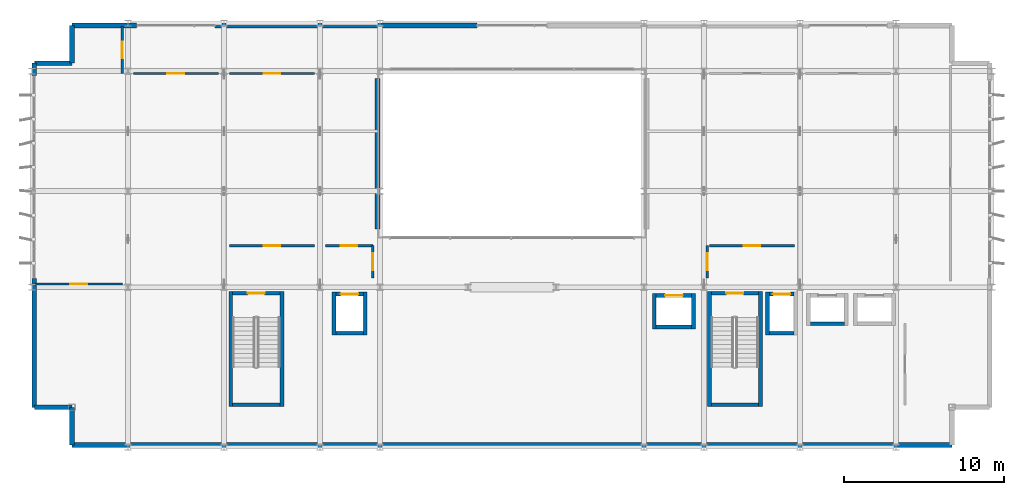
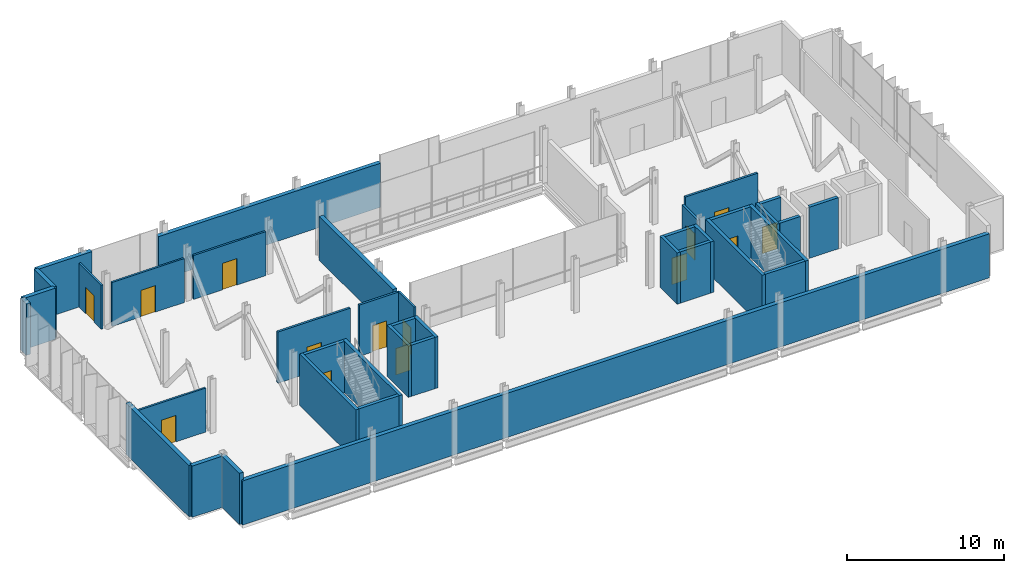
# One storey, part 27 of 33: 39 walls, 14 doors, 14 openings.
"""IFC4 building model written with IfcOpenShell, lengths in metres."""

from ifc_helpers import new_model, si_unit, direction, frame, frame_2d, origin, place, context, subcontext, project, spatial, rectangle, extrude, material, layer, layer_set, type_object, element, fill, save


model = new_model("IFC4")

# Units and contexts
model_context = context("Model", 3, precision=1e-05, world=origin(), true_north=direction((0.0, 1.0)))
body_context = subcontext(model_context, "Body", "Model", "MODEL_VIEW")
ifc_project = project(units=[si_unit("LENGTHUNIT", "METRE"), si_unit("AREAUNIT", "SQUARE_METRE"), si_unit("VOLUMEUNIT", "CUBIC_METRE"), si_unit("PLANEANGLEUNIT", "RADIAN"), si_unit("MASSUNIT", "GRAM", prefix="KILO")], contexts=[model_context])

# Site, building, storey
site_placement = place(None, origin())
site = spatial("IfcSite", under=ifc_project, at=site_placement, CompositionType="ELEMENT")
building_placement = place(site_placement, origin())
building = spatial("IfcBuilding", under=site, at=building_placement, Name="Brevholm Reach", CompositionType="ELEMENT")
storey_placement = place(building_placement, frame((0.0, 0.0, 179.0)))
storey = spatial("IfcBuildingStorey", under=building, at=storey_placement, Name="L54", CompositionType="ELEMENT", Elevation=179.0)

# Walls
ifc_material_1 = material(Name="Concrete C45/55", Category="concrete")
ifc_layer_1 = layer(ifc_material_1, 0.239990234375)
ifc_layer_set_1 = layer_set([ifc_layer_1], Name="Concrete C45/55")
wall_type_1 = type_object("IfcWallType", Name="WAL-COR-240", PredefinedType="SHEAR", material=ifc_layer_set_1)
for number, where, z_axis, x_axis, name in (
    (1, (12.429931640625, 2.5400390625, 0.0), (0.0, 0.0, 1.0), (0.0, 1.0, 0.0), "L54 Escape Stair ST-1 Core Wall W"),
    (2, (15.6201171875, 2.5400390625, 0.0), (0.0, 0.0, 1.0), (0.0, 1.0, 0.0), "L54 Escape Stair ST-1 Core Wall E"),
):
    element("IfcWall", number, at=place(storey_placement, frame(where, z_axis=z_axis, x_axis=x_axis)), inside=storey, type_object=wall_type_1, Name=name, PredefinedType="SHEAR", context=body_context, shape_type="SweptSolid", body=[
        extrude(rectangle(XDim=7.199951171875, YDim=0.239990234375, at=frame_2d((3.60009765625, 0.0))), origin(), (0.0, 0.0, 1.0), 3.989990234375),
    ])
wall_1_placement = place(storey_placement, frame((12.550048828125, 2.659912109375, 0.0), z_axis=(0.0, 0.0, 1.0), x_axis=(1.0, 0.0, 0.0)))
element("IfcWall", 3, at=wall_1_placement, inside=storey, type_object=wall_type_1, Name="L54 Escape Stair ST-1 Core Wall S", PredefinedType="SHEAR", context=body_context, shape_type="SweptSolid", body=[
    extrude(rectangle(XDim=2.949951171875, YDim=0.239990234375, at=frame_2d((1.47509765625, 0.0))), origin(), (0.0, 0.0, 1.0), 3.989990234375),
])

# Wall, opening, door
wall_2_placement = place(storey_placement, frame((15.5, 9.6201171875, 0.0), z_axis=(0.0, 0.0, 1.0), x_axis=(-1.0, 0.0, 0.0)))
wall_2 = element("IfcWall", 4, at=wall_2_placement, inside=storey, type_object=wall_type_1, Name="L54 Escape Stair ST-1 Core Wall N", PredefinedType="SHEAR", context=body_context, shape_type="SweptSolid", body=[
    extrude(rectangle(XDim=2.949951171875, YDim=0.239990234375, at=frame_2d((1.47509765625, 0.0))), origin(), (0.0, 0.0, 1.0), 3.989990234375),
])
opening_1_placement = place(wall_2_placement, frame((0.949951171875, 0.0, 0.0)))
opening_1 = element("IfcOpeningElement", 5, at=opening_1_placement, cuts=wall_2, Name="Opening SD-ST-1", PredefinedType="OPENING", context=body_context, shape_type="SweptSolid", body=[
    extrude(rectangle(XDim=1.050048828125, YDim=2.06005859375, at=frame_2d((0.52490234375, 1.030029296875))), frame((0.0, 0.1298828125, 0.0), z_axis=(0.0, -1.0, 0.0), x_axis=(1.0, 0.0, 0.0)), (0.0, 0.0, 1.0), 0.260009765625),
])
ifc_material_2 = material(Name="Hardwood-Lipped Steel-Core Fire and Smoke Door", Category="steel")
door_type_1 = type_object("IfcDoorType", Name="DOR-INT-FD60S", OperationType="NOTDEFINED", PredefinedType="DOOR", material=ifc_material_2)
door_1_placement = place(opening_1_placement, origin())
door_1 = element("IfcDoor", 6, at=door_1_placement, inside=storey, type_object=door_type_1, Name="L54 Protected Stair ST-1 Lobby Door", OperationType="SINGLE_SWING_RIGHT", OverallHeight=2.06005859375, OverallWidth=1.050048828125, PredefinedType="DOOR", context=body_context, shape_type="SweptSolid", body=[
    extrude(rectangle(XDim=1.050048828125, YDim=2.06005859375, at=frame_2d((0.52490234375, 1.030029296875))), frame((0.0, 0.02490234375, 0.0), z_axis=(0.0, -1.0, 0.0), x_axis=(1.0, 0.0, 0.0)), (0.0, 0.0, 1.0), 0.050048828125),
])
fill(opening_1, door_1)

# Walls
for number, where, z_axis, x_axis, name in (
    (7, (42.330078125, 2.5400390625, 0.0), (0.0, 0.0, 1.0), (0.0, 1.0, 0.0), "L54 Escape Stair ST-2 Core Wall W"),
    (8, (45.52001953125, 2.5400390625, 0.0), (0.0, 0.0, 1.0), (0.0, 1.0, 0.0), "L54 Escape Stair ST-2 Core Wall E"),
):
    element("IfcWall", number, at=place(storey_placement, frame(where, z_axis=z_axis, x_axis=x_axis)), inside=storey, type_object=wall_type_1, Name=name, PredefinedType="SHEAR", context=body_context, shape_type="SweptSolid", body=[
        extrude(rectangle(XDim=7.199951171875, YDim=0.239990234375, at=frame_2d((3.60009765625, 0.0))), origin(), (0.0, 0.0, 1.0), 3.989990234375),
    ])
wall_3_placement = place(storey_placement, frame((42.449951171875, 2.659912109375, 0.0), z_axis=(0.0, 0.0, 1.0), x_axis=(1.0, 0.0, 0.0)))
element("IfcWall", 9, at=wall_3_placement, inside=storey, type_object=wall_type_1, Name="L54 Escape Stair ST-2 Core Wall S", PredefinedType="SHEAR", context=body_context, shape_type="SweptSolid", body=[
    extrude(rectangle(XDim=2.949951171875, YDim=0.239990234375, at=frame_2d((1.47509765625, 0.0))), origin(), (0.0, 0.0, 1.0), 3.989990234375),
])

# Wall, opening, door
wall_4_placement = place(storey_placement, frame((45.39990234375, 9.6201171875, 0.0), z_axis=(0.0, 0.0, 1.0), x_axis=(-1.0, 0.0, 0.0)))
wall_4 = element("IfcWall", 10, at=wall_4_placement, inside=storey, type_object=wall_type_1, Name="L54 Escape Stair ST-2 Core Wall N", PredefinedType="SHEAR", context=body_context, shape_type="SweptSolid", body=[
    extrude(rectangle(XDim=2.949951171875, YDim=0.239990234375, at=frame_2d((1.47509765625, 0.0))), origin(), (0.0, 0.0, 1.0), 3.989990234375),
])
opening_2_placement = place(wall_4_placement, frame((0.949951171875, 0.0, 0.0)))
opening_2 = element("IfcOpeningElement", 11, at=opening_2_placement, cuts=wall_4, Name="Opening SD-ST-2", PredefinedType="OPENING", context=body_context, shape_type="SweptSolid", body=[
    extrude(rectangle(XDim=1.050048828125, YDim=2.06005859375, at=frame_2d((0.52490234375, 1.030029296875))), frame((0.0, 0.1298828125, 0.0), z_axis=(0.0, -1.0, 0.0), x_axis=(1.0, 0.0, 0.0)), (0.0, 0.0, 1.0), 0.260009765625),
])
door_2_placement = place(opening_2_placement, origin())
door_2 = element("IfcDoor", 12, at=door_2_placement, inside=storey, type_object=door_type_1, Name="L54 Protected Stair ST-2 Lobby Door", OperationType="SINGLE_SWING_LEFT", OverallHeight=2.06005859375, OverallWidth=1.050048828125, PredefinedType="DOOR", context=body_context, shape_type="SweptSolid", body=[
    extrude(rectangle(XDim=1.050048828125, YDim=2.06005859375, at=frame_2d((0.52490234375, 1.030029296875))), frame((0.0, 0.02490234375, 0.0), z_axis=(0.0, -1.0, 0.0), x_axis=(1.0, 0.0, 0.0)), (0.0, 0.0, 1.0), 0.050048828125),
])
fill(opening_2, door_2)

# Walls
for number, where, z_axis, x_axis, name in (
    (13, (18.8701171875, 7.0, 0.0), (0.0, 0.0, 1.0), (0.0, 1.0, 0.0), "L54 Lift FFL-1 Shaft Wall W"),
    (14, (20.830078125, 7.0, 0.0), (0.0, 0.0, 1.0), (0.0, 1.0, 0.0), "L54 Lift FFL-1 Shaft Wall E"),
):
    element("IfcWall", number, at=place(storey_placement, frame(where, z_axis=z_axis, x_axis=x_axis)), inside=storey, type_object=wall_type_1, Name=name, PredefinedType="SHEAR", context=body_context, shape_type="SweptSolid", body=[
        extrude(rectangle(XDim=2.699951171875, YDim=0.239990234375, at=frame_2d((1.35009765625, 0.0))), origin(), (0.0, 0.0, 1.0), 3.989990234375),
    ])
wall_5_placement = place(storey_placement, frame((18.989990234375, 7.1201171875, 0.0), z_axis=(0.0, 0.0, 1.0), x_axis=(1.0, 0.0, 0.0)))
element("IfcWall", 15, at=wall_5_placement, inside=storey, type_object=wall_type_1, Name="L54 Lift FFL-1 Shaft Wall S", PredefinedType="SHEAR", context=body_context, shape_type="SweptSolid", body=[
    extrude(rectangle(XDim=1.719970703125, YDim=0.239990234375, at=frame_2d((0.85986328125, 0.0))), origin(), (0.0, 0.0, 1.0), 3.989990234375),
])

# Wall, opening, door
wall_6_placement = place(storey_placement, frame((18.989990234375, 9.580078125, 0.0), z_axis=(0.0, 0.0, 1.0), x_axis=(1.0, 0.0, 0.0)))
wall_6 = element("IfcWall", 16, at=wall_6_placement, inside=storey, type_object=wall_type_1, Name="L54 Lift FFL-1 Shaft Wall N", PredefinedType="SHEAR", context=body_context, shape_type="SweptSolid", body=[
    extrude(rectangle(XDim=1.719970703125, YDim=0.239990234375, at=frame_2d((0.85986328125, 0.0))), origin(), (0.0, 0.0, 1.0), 3.989990234375),
])
opening_3_placement = place(wall_6_placement, frame((0.31005859375, 0.0, 0.0)))
opening_3 = element("IfcOpeningElement", 17, at=opening_3_placement, cuts=wall_6, Name="Opening LD-FFL-1", PredefinedType="OPENING", context=body_context, shape_type="SweptSolid", body=[
    extrude(rectangle(XDim=1.10009765625, YDim=2.06005859375, at=frame_2d((0.550048828125, 1.030029296875))), frame((0.0, 0.1298828125, 0.0), z_axis=(0.0, -1.0, 0.0), x_axis=(1.0, 0.0, 0.0)), (0.0, 0.0, 1.0), 0.260009765625),
])
ifc_material_3 = material(Name="Brushed Stainless Steel Fire-Rated Sliding Lift Door", Category="steel")
door_type_2 = type_object("IfcDoorType", Name="DOR-LFT-1100", OperationType="NOTDEFINED", PredefinedType="DOOR", material=ifc_material_3)
door_3_placement = place(opening_3_placement, origin())
door_3 = element("IfcDoor", 18, at=door_3_placement, inside=storey, type_object=door_type_2, Name="L54 Lift FFL-1 Sliding Landing Door", OperationType="SLIDING_TO_RIGHT", OverallHeight=2.06005859375, OverallWidth=1.10009765625, PredefinedType="DOOR", context=body_context, shape_type="SweptSolid", body=[
    extrude(rectangle(XDim=1.10009765625, YDim=2.06005859375, at=frame_2d((0.550048828125, 1.030029296875))), frame((0.0, 0.02490234375, 0.0), z_axis=(0.0, -1.0, 0.0), x_axis=(1.0, 0.0, 0.0)), (0.0, 0.0, 1.0), 0.050048828125),
])
fill(opening_3, door_3)

# Walls
wall_7_placement = place(storey_placement, frame((45.969970703125, 7.0, 0.0), z_axis=(0.0, 0.0, 1.0), x_axis=(0.0, 1.0, 0.0)))
element("IfcWall", 19, at=wall_7_placement, inside=storey, type_object=wall_type_1, Name="L54 Lift FFL-2 Shaft Wall W", PredefinedType="SHEAR", context=body_context, shape_type="SweptSolid", body=[
    extrude(rectangle(XDim=2.699951171875, YDim=0.239990234375, at=frame_2d((1.35009765625, 0.0))), origin(), (0.0, 0.0, 1.0), 3.989990234375),
])
wall_8_placement = place(storey_placement, frame((46.090087890625, 7.1201171875, 0.0), z_axis=(0.0, 0.0, 1.0), x_axis=(1.0, 0.0, 0.0)))
element("IfcWall", 20, at=wall_8_placement, inside=storey, type_object=wall_type_1, Name="L54 Lift FFL-2 Shaft Wall S", PredefinedType="SHEAR", context=body_context, shape_type="SweptSolid", body=[
    extrude(rectangle(XDim=1.52001953125, YDim=0.239990234375, at=frame_2d((0.760009765625, 0.0))), origin(), (0.0, 0.0, 1.0), 3.989990234375),
])

# Wall, opening, door
wall_9_placement = place(storey_placement, frame((46.090087890625, 9.580078125, 0.0), z_axis=(0.0, 0.0, 1.0), x_axis=(1.0, 0.0, 0.0)))
wall_9 = element("IfcWall", 21, at=wall_9_placement, inside=storey, type_object=wall_type_1, Name="L54 Lift FFL-2 Shaft Wall N", PredefinedType="SHEAR", context=body_context, shape_type="SweptSolid", body=[
    extrude(rectangle(XDim=1.52001953125, YDim=0.239990234375, at=frame_2d((0.760009765625, 0.0))), origin(), (0.0, 0.0, 1.0), 3.989990234375),
])
opening_4_placement = place(wall_9_placement, frame((0.2099609375, 0.0, 0.0)))
opening_4 = element("IfcOpeningElement", 22, at=opening_4_placement, cuts=wall_9, Name="Opening LD-FFL-2", PredefinedType="OPENING", context=body_context, shape_type="SweptSolid", body=[
    extrude(rectangle(XDim=1.10009765625, YDim=2.06005859375, at=frame_2d((0.550048828125, 1.030029296875))), frame((0.0, 0.1298828125, 0.0), z_axis=(0.0, -1.0, 0.0), x_axis=(1.0, 0.0, 0.0)), (0.0, 0.0, 1.0), 0.260009765625),
])
door_4_placement = place(opening_4_placement, origin())
door_4 = element("IfcDoor", 23, at=door_4_placement, inside=storey, type_object=door_type_2, Name="L54 Lift FFL-2 Sliding Landing Door", OperationType="SLIDING_TO_LEFT", OverallHeight=2.06005859375, OverallWidth=1.10009765625, PredefinedType="DOOR", context=body_context, shape_type="SweptSolid", body=[
    extrude(rectangle(XDim=1.10009765625, YDim=2.06005859375, at=frame_2d((0.550048828125, 1.030029296875))), frame((0.0, 0.02490234375, 0.0), z_axis=(0.0, -1.0, 0.0), x_axis=(1.0, 0.0, 0.0)), (0.0, 0.0, 1.0), 0.050048828125),
])
fill(opening_4, door_4)

# Walls
for number, where, z_axis, x_axis, name in (
    (24, (38.889892578125, 7.39990234375, 0.0), (0.0, 0.0, 1.0), (0.0, 1.0, 0.0), "L54 Lift PL-S1 Shaft Wall W"),
    (25, (41.35009765625, 7.39990234375, 0.0), (0.0, 0.0, 1.0), (0.0, 1.0, 0.0), "L54 Lift PL-S1 Shaft Wall E"),
):
    element("IfcWall", number, at=place(storey_placement, frame(where, z_axis=z_axis, x_axis=x_axis)), inside=storey, type_object=wall_type_1, Name=name, PredefinedType="SHEAR", context=body_context, shape_type="SweptSolid", body=[
        extrude(rectangle(XDim=2.2001953125, YDim=0.239990234375, at=frame_2d((1.10009765625, 0.0))), origin(), (0.0, 0.0, 1.0), 3.989990234375),
    ])
wall_10_placement = place(storey_placement, frame((39.010009765625, 7.52001953125, 0.0), z_axis=(0.0, 0.0, 1.0), x_axis=(1.0, 0.0, 0.0)))
element("IfcWall", 26, at=wall_10_placement, inside=storey, type_object=wall_type_1, Name="L54 Lift PL-S1 Shaft Wall S", PredefinedType="SHEAR", context=body_context, shape_type="SweptSolid", body=[
    extrude(rectangle(XDim=2.219970703125, YDim=0.239990234375, at=frame_2d((1.10986328125, 0.0))), origin(), (0.0, 0.0, 1.0), 3.989990234375),
])

# Wall, opening, door
wall_11_placement = place(storey_placement, frame((39.010009765625, 9.47998046875, 0.0), z_axis=(0.0, 0.0, 1.0), x_axis=(1.0, 0.0, 0.0)))
wall_11 = element("IfcWall", 27, at=wall_11_placement, inside=storey, type_object=wall_type_1, Name="L54 Lift PL-S1 Shaft Wall N", PredefinedType="SHEAR", context=body_context, shape_type="SweptSolid", body=[
    extrude(rectangle(XDim=2.219970703125, YDim=0.239990234375, at=frame_2d((1.10986328125, 0.0))), origin(), (0.0, 0.0, 1.0), 3.989990234375),
])
opening_5_placement = place(wall_11_placement, frame((0.56005859375, 0.0, 0.0)))
opening_5 = element("IfcOpeningElement", 28, at=opening_5_placement, cuts=wall_11, Name="Opening LD-PL-S1", PredefinedType="OPENING", context=body_context, shape_type="SweptSolid", body=[
    extrude(rectangle(XDim=1.10009765625, YDim=2.06005859375, at=frame_2d((0.550048828125, 1.030029296875))), frame((0.0, 0.1298828125, 0.0), z_axis=(0.0, -1.0, 0.0), x_axis=(1.0, 0.0, 0.0)), (0.0, 0.0, 1.0), 0.260009765625),
])
door_5_placement = place(opening_5_placement, origin())
door_5 = element("IfcDoor", 29, at=door_5_placement, inside=storey, type_object=door_type_2, Name="L54 Lift PL-S1 Sliding Landing Door", OperationType="SLIDING_TO_RIGHT", OverallHeight=2.06005859375, OverallWidth=1.10009765625, PredefinedType="DOOR", context=body_context, shape_type="SweptSolid", body=[
    extrude(rectangle(XDim=1.10009765625, YDim=2.06005859375, at=frame_2d((0.550048828125, 1.030029296875))), frame((0.0, 0.02490234375, 0.0), z_axis=(0.0, -1.0, 0.0), x_axis=(1.0, 0.0, 0.0)), (0.0, 0.0, 1.0), 0.050048828125),
])
fill(opening_5, door_5)

# Walls
wall_12_placement = place(storey_placement, frame((48.639892578125, 7.719970703125, 0.0), z_axis=(0.0, 0.0, 1.0), x_axis=(1.0, 0.0, 0.0)))
element("IfcWall", 30, at=wall_12_placement, inside=storey, type_object=wall_type_1, Name="L54 Lift PL-H1 Shaft Wall S", PredefinedType="SHEAR", context=body_context, shape_type="SweptSolid", body=[
    extrude(rectangle(XDim=2.1201171875, YDim=0.239990234375, at=frame_2d((1.06005859375, 0.0))), origin(), (0.0, 0.0, 1.0), 3.989990234375),
])
ifc_material_4 = material(Name="Concrete C40/50", Category="concrete")
ifc_layer_2 = layer(ifc_material_4, 0.300048828125)
ifc_layer_set_2 = layer_set([ifc_layer_2], Name="Concrete C40/50")
wall_type_2 = type_object("IfcWallType", Name="WAL-EXT-300", PredefinedType="STANDARD", material=ifc_layer_set_2)
for number, where, z_axis, x_axis, name in (
    (31, (2.5, 2.5, 0.0), (0.0, 0.0, 1.0), (0.0, -1.0, 0.0), "L54 Facade Wall WAL-L54-CSW1"),
    (32, (0.14990234375, 2.5, 0.0), (0.0, 0.0, 1.0), (1.0, 0.0, 0.0), "L54 Facade Wall WAL-L54-CSW2"),
    (33, (2.5, 26.35009765625, 0.0), (0.0, 0.0, 1.0), (0.0, -1.0, 0.0), "L54 Facade Wall WAL-L54-CNW1"),
    (34, (2.5, 24.0, 0.0), (0.0, 0.0, 1.0), (-1.0, 0.0, 0.0), "L54 Facade Wall WAL-L54-CNW2"),
):
    element("IfcWall", number, at=place(storey_placement, frame(where, z_axis=z_axis, x_axis=x_axis)), inside=storey, type_object=wall_type_2, Name=name, PredefinedType="STANDARD", context=body_context, shape_type="SweptSolid", body=[
        extrude(rectangle(XDim=2.35009765625, YDim=0.300048828125, at=frame_2d((1.175048828125, 0.0))), origin(), (0.0, 0.0, 1.0), 3.989990234375),
    ])
wall_13_placement = place(storey_placement, frame((2.5, 0.14990234375, 0.0), z_axis=(0.0, 0.0, 1.0), x_axis=(1.0, 0.0, 0.0)))
element("IfcWall", 35, at=wall_13_placement, inside=storey, type_object=wall_type_2, Name="L54 Facade Wall WAL-L54-S", PredefinedType="STANDARD", context=body_context, shape_type="SweptSolid", body=[
    extrude(rectangle(XDim=55.0, YDim=0.300048828125, at=frame_2d((27.5, 0.0))), origin(), (0.0, 0.0, 1.0), 3.431884765625),
])
wall_14_placement = place(storey_placement, frame((0.14990234375, 10.550048828125, 0.0), z_axis=(0.0, 0.0, 1.0), x_axis=(0.0, -1.0, 0.0)))
element("IfcWall", 36, at=wall_14_placement, inside=storey, type_object=wall_type_2, Name="L54 Facade Wall WAL-L54-W-S", PredefinedType="STANDARD", context=body_context, shape_type="SweptSolid", body=[
    extrude(rectangle(XDim=8.050048828125, YDim=0.300048828125, at=frame_2d((4.02490234375, 0.0))), origin(), (0.0, 0.0, 1.0), 3.989990234375),
])
wall_15_placement = place(storey_placement, frame((0.14990234375, 24.0, 0.0), z_axis=(0.0, 0.0, 1.0), x_axis=(0.0, -1.0, 0.0)))
element("IfcWall", 37, at=wall_15_placement, inside=storey, type_object=wall_type_2, Name="L54 Facade Wall WAL-L54-W-N", PredefinedType="STANDARD", context=body_context, shape_type="SweptSolid", body=[
    extrude(rectangle(XDim=0.780029296875, YDim=0.300048828125, at=frame_2d((0.39013671875, 0.0))), origin(), (0.0, 0.0, 1.0), 3.989990234375),
])
wall_16_placement = place(storey_placement, frame((2.5, 26.35009765625, 0.0), z_axis=(0.0, 0.0, 1.0), x_axis=(1.0, 0.0, 0.0)))
element("IfcWall", 38, at=wall_16_placement, inside=storey, type_object=wall_type_2, Name="L54 Facade Wall WAL-L54-NP-W0", PredefinedType="STANDARD", context=body_context, shape_type="SweptSolid", body=[
    extrude(rectangle(XDim=4.050048828125, YDim=0.300048828125, at=frame_2d((2.02490234375, 0.0))), origin(), (0.0, 0.0, 1.0), 3.989990234375),
])
wall_17_placement = place(storey_placement, frame((11.449951171875, 26.35009765625, 0.0), z_axis=(0.0, 0.0, 1.0), x_axis=(1.0, 0.0, 0.0)))
element("IfcWall", 39, at=wall_17_placement, inside=storey, type_object=wall_type_2, Name="L54 Facade Wall WAL-L54-NP-WL", PredefinedType="STANDARD", context=body_context, shape_type="SweptSolid", body=[
    extrude(rectangle(XDim=16.35009765625, YDim=0.300048828125, at=frame_2d((8.175048828125, 0.0))), origin(), (0.0, 0.0, 1.0), 3.431884765625),
])
wall_18_placement = place(storey_placement, frame((21.60009765625, 23.050048828125, 0.0), z_axis=(0.0, 0.0, 1.0), x_axis=(0.0, -1.0, 0.0)))
element("IfcWall", 40, at=wall_18_placement, inside=storey, type_object=wall_type_2, Name="L54 Facade Wall WAL-L54-AT-W", PredefinedType="STANDARD", context=body_context, shape_type="SweptSolid", body=[
    extrude(rectangle(XDim=9.400146484375, YDim=0.300048828125, at=frame_2d((4.7001953125, 0.0))), origin(), (0.0, 0.0, 1.0), 3.425537109375),
])

# Wall, opening, door
ifc_material_5 = material(Name="Twin-Stud Acoustic Fire-Rated Gypsum Partition 140 mm", Category="gypsum")
ifc_layer_3 = layer(ifc_material_5, 0.139892578125)
ifc_layer_set_3 = layer_set([ifc_layer_3], Name="Twin-Stud Acoustic Fire-Rated Gypsum Partition 140 mm")
wall_type_3 = type_object("IfcWallType", Name="WAL-PRT-140", PredefinedType="PARTITIONING", material=ifc_layer_set_3)
wall_19_placement = place(storey_placement, frame((5.64990234375, 23.35009765625, 0.0), z_axis=(0.0, 0.0, 1.0), x_axis=(0.0, 1.0, 0.0)))
wall_19 = element("IfcWall", 41, at=wall_19_placement, inside=storey, type_object=wall_type_3, Name="L54 Internal Partition 006", PredefinedType="PARTITIONING", context=body_context, shape_type="SweptSolid", body=[
    extrude(rectangle(XDim=2.949951171875, YDim=0.139892578125, at=frame_2d((1.47509765625, 0.0))), origin(), (0.0, 0.0, 1.0), 3.425537109375),
])
opening_6_placement = place(wall_19_placement, frame((0.949951171875, 0.0, 0.0)))
opening_6 = element("IfcOpeningElement", 42, at=opening_6_placement, cuts=wall_19, Name="Opening FD-01", PredefinedType="OPENING", context=body_context, shape_type="SweptSolid", body=[
    extrude(rectangle(XDim=1.050048828125, YDim=2.06005859375, at=frame_2d((0.52490234375, 1.030029296875))), frame((0.0, 0.079833984375, 0.0), z_axis=(0.0, -1.0, 0.0), x_axis=(1.0, 0.0, 0.0)), (0.0, 0.0, 1.0), 0.159912109375),
])
door_6_placement = place(opening_6_placement, origin())
door_6 = element("IfcDoor", 43, at=door_6_placement, inside=storey, type_object=door_type_1, Name="L54 Internal Door 006", OperationType="SINGLE_SWING_RIGHT", OverallHeight=2.06005859375, OverallWidth=1.050048828125, PredefinedType="DOOR", context=body_context, shape_type="SweptSolid", body=[
    extrude(rectangle(XDim=1.050048828125, YDim=2.06005859375, at=frame_2d((0.52490234375, 1.030029296875))), frame((0.0, 0.02490234375, 0.0), z_axis=(0.0, -1.0, 0.0), x_axis=(1.0, 0.0, 0.0)), (0.0, 0.0, 1.0), 0.050048828125),
])
fill(opening_6, door_6)

wall_20_placement = place(storey_placement, frame((6.338623046875, 23.35009765625, 0.0), z_axis=(0.0, 0.0, 1.0), x_axis=(1.0, 0.0, 0.0)))
wall_20 = element("IfcWall", 44, at=wall_20_placement, inside=storey, type_object=wall_type_3, Name="L54 Internal Partition 007", PredefinedType="PARTITIONING", context=body_context, shape_type="SweptSolid", body=[
    extrude(rectangle(XDim=5.32275390625, YDim=0.139892578125, at=frame_2d((2.661376953125, 0.0))), origin(), (0.0, 0.0, 1.0), 3.425537109375),
])
opening_7_placement = place(wall_20_placement, frame((2.13623046875, 0.0, 0.0)))
opening_7 = element("IfcOpeningElement", 45, at=opening_7_placement, cuts=wall_20, Name="Opening FD-01", PredefinedType="OPENING", context=body_context, shape_type="SweptSolid", body=[
    extrude(rectangle(XDim=1.050048828125, YDim=2.06005859375, at=frame_2d((0.52490234375, 1.030029296875))), frame((0.0, 0.079833984375, 0.0), z_axis=(0.0, -1.0, 0.0), x_axis=(1.0, 0.0, 0.0)), (0.0, 0.0, 1.0), 0.159912109375),
])
door_7_placement = place(opening_7_placement, origin())
door_7 = element("IfcDoor", 46, at=door_7_placement, inside=storey, type_object=door_type_1, Name="L54 Internal Door 007", OperationType="SINGLE_SWING_LEFT", OverallHeight=2.06005859375, OverallWidth=1.050048828125, PredefinedType="DOOR", context=body_context, shape_type="SweptSolid", body=[
    extrude(rectangle(XDim=1.050048828125, YDim=2.06005859375, at=frame_2d((0.52490234375, 1.030029296875))), frame((0.0, 0.02490234375, 0.0), z_axis=(0.0, -1.0, 0.0), x_axis=(1.0, 0.0, 0.0)), (0.0, 0.0, 1.0), 0.050048828125),
])
fill(opening_7, door_7)

wall_21_placement = place(storey_placement, frame((12.338623046875, 23.35009765625, 0.0), z_axis=(0.0, 0.0, 1.0), x_axis=(1.0, 0.0, 0.0)))
wall_21 = element("IfcWall", 47, at=wall_21_placement, inside=storey, type_object=wall_type_3, Name="L54 Internal Partition 008", PredefinedType="PARTITIONING", context=body_context, shape_type="SweptSolid", body=[
    extrude(rectangle(XDim=5.32275390625, YDim=0.139892578125, at=frame_2d((2.661376953125, 0.0))), origin(), (0.0, 0.0, 1.0), 3.425537109375),
])
opening_8_placement = place(wall_21_placement, frame((2.13623046875, 0.0, 0.0)))
opening_8 = element("IfcOpeningElement", 48, at=opening_8_placement, cuts=wall_21, Name="Opening FD-01", PredefinedType="OPENING", context=body_context, shape_type="SweptSolid", body=[
    extrude(rectangle(XDim=1.050048828125, YDim=2.06005859375, at=frame_2d((0.52490234375, 1.030029296875))), frame((0.0, 0.079833984375, 0.0), z_axis=(0.0, -1.0, 0.0), x_axis=(1.0, 0.0, 0.0)), (0.0, 0.0, 1.0), 0.159912109375),
])
door_8_placement = place(opening_8_placement, origin())
door_8 = element("IfcDoor", 49, at=door_8_placement, inside=storey, type_object=door_type_1, Name="L54 Internal Door 008", OperationType="SINGLE_SWING_RIGHT", OverallHeight=2.06005859375, OverallWidth=1.050048828125, PredefinedType="DOOR", context=body_context, shape_type="SweptSolid", body=[
    extrude(rectangle(XDim=1.050048828125, YDim=2.06005859375, at=frame_2d((0.52490234375, 1.030029296875))), frame((0.0, 0.02490234375, 0.0), z_axis=(0.0, -1.0, 0.0), x_axis=(1.0, 0.0, 0.0)), (0.0, 0.0, 1.0), 0.050048828125),
])
fill(opening_8, door_8)

wall_22_placement = place(storey_placement, frame((0.199951171875, 10.199951171875, 0.0), z_axis=(0.0, 0.0, 1.0), x_axis=(1.0, 0.0, 0.0)))
wall_22 = element("IfcWall", 50, at=wall_22_placement, inside=storey, type_object=wall_type_3, Name="L54 Internal Partition 014", PredefinedType="PARTITIONING", context=body_context, shape_type="SweptSolid", body=[
    extrude(rectangle(XDim=5.449951171875, YDim=0.139892578125, at=frame_2d((2.72509765625, 0.0))), origin(), (0.0, 0.0, 1.0), 3.425537109375),
])
opening_9_placement = place(wall_22_placement, frame((2.199951171875, 0.0, 0.0)))
opening_9 = element("IfcOpeningElement", 51, at=opening_9_placement, cuts=wall_22, Name="Opening FD-01", PredefinedType="OPENING", context=body_context, shape_type="SweptSolid", body=[
    extrude(rectangle(XDim=1.050048828125, YDim=2.06005859375, at=frame_2d((0.52490234375, 1.030029296875))), frame((0.0, 0.079833984375, 0.0), z_axis=(0.0, -1.0, 0.0), x_axis=(1.0, 0.0, 0.0)), (0.0, 0.0, 1.0), 0.159912109375),
])
door_9_placement = place(opening_9_placement, origin())
door_9 = element("IfcDoor", 52, at=door_9_placement, inside=storey, type_object=door_type_1, Name="L54 Internal Door 013", OperationType="SINGLE_SWING_LEFT", OverallHeight=2.06005859375, OverallWidth=1.050048828125, PredefinedType="DOOR", context=body_context, shape_type="SweptSolid", body=[
    extrude(rectangle(XDim=1.050048828125, YDim=2.06005859375, at=frame_2d((0.52490234375, 1.030029296875))), frame((0.0, 0.02490234375, 0.0), z_axis=(0.0, -1.0, 0.0), x_axis=(1.0, 0.0, 0.0)), (0.0, 0.0, 1.0), 0.050048828125),
])
fill(opening_9, door_9)

ifc_material_6 = material(Name="Twin-Frame Fire-Rated Gypsum Board and Mineral Wool 160 mm", Category="gypsum")
ifc_layer_4 = layer(ifc_material_6, 0.159912109375)
ifc_layer_set_4 = layer_set([ifc_layer_4], Name="Twin-Frame Fire-Rated Gypsum Board and Mineral Wool 160 mm")
wall_type_4 = type_object("IfcWallType", Name="WAL-PRT-160", PredefinedType="PARTITIONING", material=ifc_layer_set_4)
wall_23_placement = place(storey_placement, frame((12.338623046875, 12.60009765625, 0.0), z_axis=(0.0, 0.0, 1.0), x_axis=(1.0, 0.0, 0.0)))
wall_23 = element("IfcWall", 53, at=wall_23_placement, inside=storey, type_object=wall_type_4, Name="L54 Internal Partition 001", PredefinedType="PARTITIONING", context=body_context, shape_type="SweptSolid", body=[
    extrude(rectangle(XDim=5.32275390625, YDim=0.159912109375, at=frame_2d((2.661376953125, 0.0))), origin(), (0.0, 0.0, 1.0), 3.989990234375),
])
opening_10_placement = place(wall_23_placement, frame((2.13623046875, 0.0, 0.0)))
opening_10 = element("IfcOpeningElement", 54, at=opening_10_placement, cuts=wall_23, Name="Opening FD-01", PredefinedType="OPENING", context=body_context, shape_type="SweptSolid", body=[
    extrude(rectangle(XDim=1.050048828125, YDim=2.06005859375, at=frame_2d((0.52490234375, 1.030029296875))), frame((0.0, 0.08984375, 0.0), z_axis=(0.0, -1.0, 0.0), x_axis=(1.0, 0.0, 0.0)), (0.0, 0.0, 1.0), 0.179931640625),
])
door_10_placement = place(opening_10_placement, origin())
door_10 = element("IfcDoor", 55, at=door_10_placement, inside=storey, type_object=door_type_1, Name="L54 Internal Door 001", OperationType="SINGLE_SWING_LEFT", OverallHeight=2.06005859375, OverallWidth=1.050048828125, PredefinedType="DOOR", context=body_context, shape_type="SweptSolid", body=[
    extrude(rectangle(XDim=1.050048828125, YDim=2.06005859375, at=frame_2d((0.52490234375, 1.030029296875))), frame((0.0, 0.02490234375, 0.0), z_axis=(0.0, -1.0, 0.0), x_axis=(1.0, 0.0, 0.0)), (0.0, 0.0, 1.0), 0.050048828125),
])
fill(opening_10, door_10)

wall_24_placement = place(storey_placement, frame((21.300048828125, 10.588623046875, 0.0), z_axis=(0.0, 0.0, 1.0), x_axis=(0.0, 1.0, 0.0)))
wall_24 = element("IfcWall", 56, at=wall_24_placement, inside=storey, type_object=wall_type_4, Name="L54 Internal Partition 002", PredefinedType="PARTITIONING", context=body_context, shape_type="SweptSolid", body=[
    extrude(rectangle(XDim=2.011474609375, YDim=0.159912109375, at=frame_2d((1.005859375, 0.0))), origin(), (0.0, 0.0, 1.0), 3.989990234375),
])
opening_11_placement = place(wall_24_placement, frame((0.480712890625, 0.0, 0.0)))
opening_11 = element("IfcOpeningElement", 57, at=opening_11_placement, cuts=wall_24, Name="Opening FD-01", PredefinedType="OPENING", context=body_context, shape_type="SweptSolid", body=[
    extrude(rectangle(XDim=1.050048828125, YDim=2.06005859375, at=frame_2d((0.52490234375, 1.030029296875))), frame((0.0, 0.08984375, 0.0), z_axis=(0.0, -1.0, 0.0), x_axis=(1.0, 0.0, 0.0)), (0.0, 0.0, 1.0), 0.179931640625),
])
door_11_placement = place(opening_11_placement, origin())
door_11 = element("IfcDoor", 58, at=door_11_placement, inside=storey, type_object=door_type_1, Name="L54 Internal Door 002", OperationType="SINGLE_SWING_RIGHT", OverallHeight=2.06005859375, OverallWidth=1.050048828125, PredefinedType="DOOR", context=body_context, shape_type="SweptSolid", body=[
    extrude(rectangle(XDim=1.050048828125, YDim=2.06005859375, at=frame_2d((0.52490234375, 1.030029296875))), frame((0.0, 0.02490234375, 0.0), z_axis=(0.0, -1.0, 0.0), x_axis=(1.0, 0.0, 0.0)), (0.0, 0.0, 1.0), 0.050048828125),
])
fill(opening_11, door_11)

wall_25_placement = place(storey_placement, frame((18.338623046875, 12.60009765625, 0.0), z_axis=(0.0, 0.0, 1.0), x_axis=(1.0, 0.0, 0.0)))
wall_25 = element("IfcWall", 59, at=wall_25_placement, inside=storey, type_object=wall_type_4, Name="L54 Internal Partition 003", PredefinedType="PARTITIONING", context=body_context, shape_type="SweptSolid", body=[
    extrude(rectangle(XDim=2.96142578125, YDim=0.159912109375, at=frame_2d((1.480712890625, 0.0))), origin(), (0.0, 0.0, 1.0), 3.989990234375),
])
opening_12_placement = place(wall_25_placement, frame((0.955810546875, 0.0, 0.0)))
opening_12 = element("IfcOpeningElement", 60, at=opening_12_placement, cuts=wall_25, Name="Opening FD-01", PredefinedType="OPENING", context=body_context, shape_type="SweptSolid", body=[
    extrude(rectangle(XDim=1.050048828125, YDim=2.06005859375, at=frame_2d((0.52490234375, 1.030029296875))), frame((0.0, 0.08984375, 0.0), z_axis=(0.0, -1.0, 0.0), x_axis=(1.0, 0.0, 0.0)), (0.0, 0.0, 1.0), 0.179931640625),
])
door_12_placement = place(opening_12_placement, origin())
door_12 = element("IfcDoor", 61, at=door_12_placement, inside=storey, type_object=door_type_1, Name="L54 Internal Door 003", OperationType="SINGLE_SWING_LEFT", OverallHeight=2.06005859375, OverallWidth=1.050048828125, PredefinedType="DOOR", context=body_context, shape_type="SweptSolid", body=[
    extrude(rectangle(XDim=1.050048828125, YDim=2.06005859375, at=frame_2d((0.52490234375, 1.030029296875))), frame((0.0, 0.02490234375, 0.0), z_axis=(0.0, -1.0, 0.0), x_axis=(1.0, 0.0, 0.0)), (0.0, 0.0, 1.0), 0.050048828125),
])
fill(opening_12, door_12)

wall_26_placement = place(storey_placement, frame((42.338623046875, 12.60009765625, 0.0), z_axis=(0.0, 0.0, 1.0), x_axis=(1.0, 0.0, 0.0)))
wall_26 = element("IfcWall", 62, at=wall_26_placement, inside=storey, type_object=wall_type_4, Name="L54 Internal Partition 004", PredefinedType="PARTITIONING", context=body_context, shape_type="SweptSolid", body=[
    extrude(rectangle(XDim=5.32275390625, YDim=0.159912109375, at=frame_2d((2.661376953125, 0.0))), origin(), (0.0, 0.0, 1.0), 3.989990234375),
])
opening_13_placement = place(wall_26_placement, frame((2.13623046875, 0.0, 0.0)))
opening_13 = element("IfcOpeningElement", 63, at=opening_13_placement, cuts=wall_26, Name="Opening FD-01", PredefinedType="OPENING", context=body_context, shape_type="SweptSolid", body=[
    extrude(rectangle(XDim=1.050048828125, YDim=2.06005859375, at=frame_2d((0.52490234375, 1.030029296875))), frame((0.0, 0.08984375, 0.0), z_axis=(0.0, -1.0, 0.0), x_axis=(1.0, 0.0, 0.0)), (0.0, 0.0, 1.0), 0.179931640625),
])
door_13_placement = place(opening_13_placement, origin())
door_13 = element("IfcDoor", 64, at=door_13_placement, inside=storey, type_object=door_type_1, Name="L54 Internal Door 004", OperationType="SINGLE_SWING_RIGHT", OverallHeight=2.06005859375, OverallWidth=1.050048828125, PredefinedType="DOOR", context=body_context, shape_type="SweptSolid", body=[
    extrude(rectangle(XDim=1.050048828125, YDim=2.06005859375, at=frame_2d((0.52490234375, 1.030029296875))), frame((0.0, 0.02490234375, 0.0), z_axis=(0.0, -1.0, 0.0), x_axis=(1.0, 0.0, 0.0)), (0.0, 0.0, 1.0), 0.050048828125),
])
fill(opening_13, door_13)

wall_27_placement = place(storey_placement, frame((42.199951171875, 10.588623046875, 0.0), z_axis=(0.0, 0.0, 1.0), x_axis=(0.0, 1.0, 0.0)))
wall_27 = element("IfcWall", 65, at=wall_27_placement, inside=storey, type_object=wall_type_4, Name="L54 Internal Partition 005", PredefinedType="PARTITIONING", context=body_context, shape_type="SweptSolid", body=[
    extrude(rectangle(XDim=2.011474609375, YDim=0.159912109375, at=frame_2d((1.005859375, 0.0))), origin(), (0.0, 0.0, 1.0), 3.425537109375),
])
opening_14_placement = place(wall_27_placement, frame((0.480712890625, 0.0, 0.0)))
opening_14 = element("IfcOpeningElement", 66, at=opening_14_placement, cuts=wall_27, Name="Opening FD-01", PredefinedType="OPENING", context=body_context, shape_type="SweptSolid", body=[
    extrude(rectangle(XDim=1.050048828125, YDim=2.06005859375, at=frame_2d((0.52490234375, 1.030029296875))), frame((0.0, 0.08984375, 0.0), z_axis=(0.0, -1.0, 0.0), x_axis=(1.0, 0.0, 0.0)), (0.0, 0.0, 1.0), 0.179931640625),
])
door_14_placement = place(opening_14_placement, origin())
door_14 = element("IfcDoor", 67, at=door_14_placement, inside=storey, type_object=door_type_1, Name="L54 Internal Door 005", OperationType="SINGLE_SWING_LEFT", OverallHeight=2.06005859375, OverallWidth=1.050048828125, PredefinedType="DOOR", context=body_context, shape_type="SweptSolid", body=[
    extrude(rectangle(XDim=1.050048828125, YDim=2.06005859375, at=frame_2d((0.52490234375, 1.030029296875))), frame((0.0, 0.02490234375, 0.0), z_axis=(0.0, -1.0, 0.0), x_axis=(1.0, 0.0, 0.0)), (0.0, 0.0, 1.0), 0.050048828125),
])
fill(opening_14, door_14)

save(model, "model.ifc")
